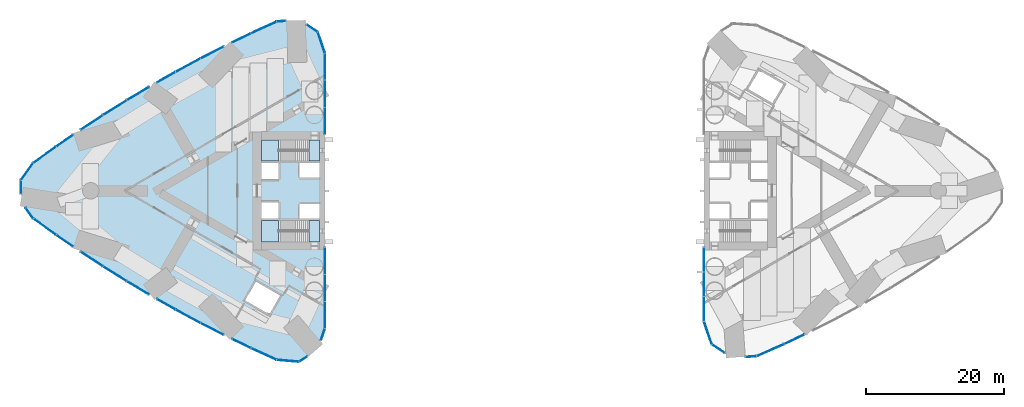
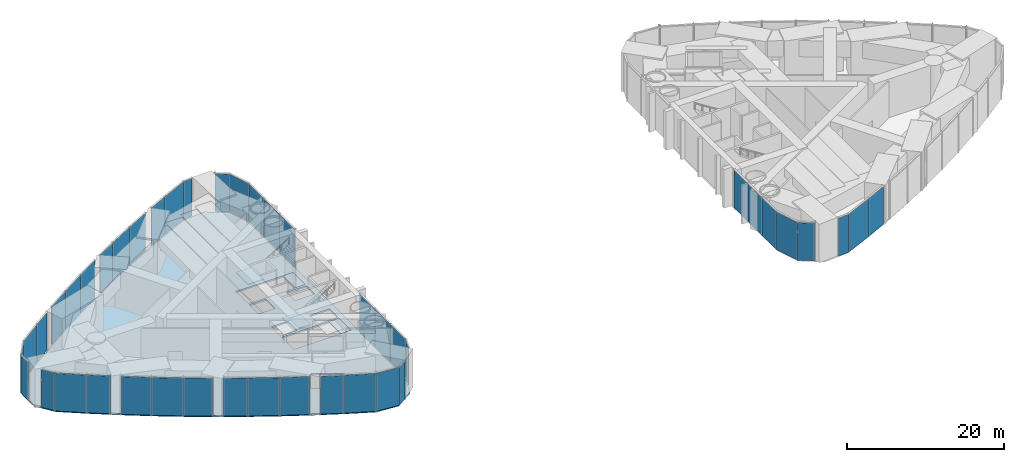
# One storey, part 9 of 16: 43 plates, 5 slabs, 14 elements without a shape of their own.
"""IFC4 building model written with IfcOpenShell, lengths in metres."""

from ifc_helpers import new_model, si_unit, direction, frame, origin, origin_2d, place, context, subcontext, project, spatial, polyline, rectangle, outline, extrude, material, layer, layer_set, type_object, element, aggregate, save


model = new_model("IFC4")

# Units and contexts
model_context = context("Model", 3, precision=1e-05, world=origin(), true_north=direction((0.0, 1.0)))
body_context = subcontext(model_context, "Body", "Model", "MODEL_VIEW")
ifc_project = project(units=[si_unit("LENGTHUNIT", "METRE"), si_unit("AREAUNIT", "SQUARE_METRE"), si_unit("VOLUMEUNIT", "CUBIC_METRE"), si_unit("PLANEANGLEUNIT", "RADIAN"), si_unit("MASSUNIT", "GRAM", prefix="KILO")], contexts=[model_context])

# Site, building, storey
site_placement = place(None, origin())
site = spatial("IfcSite", under=ifc_project, at=site_placement, CompositionType="ELEMENT")
building_placement = place(site_placement, origin())
building = spatial("IfcBuilding", under=site, at=building_placement, Name="Lancet Gate Hotel", CompositionType="ELEMENT")
storey_placement = place(building_placement, frame((0.0, 0.0, 146.699951171875)))
storey = spatial("IfcBuildingStorey", under=building, at=storey_placement, Name="L39", CompositionType="ELEMENT", Elevation=146.699951171875)

# Slab
ifc_material_1 = material(Name="Concrete C50/60", Category="concrete")
ifc_layer_1 = layer(ifc_material_1, 0.25)
ifc_layer_set_1 = layer_set([ifc_layer_1], Name="Floor slab 250")
slab_type_1 = type_object("IfcSlabType", Name="Floor slab 250", PredefinedType="FLOOR", material=ifc_layer_set_1)
slab_1_placement = place(storey_placement, frame((0.0, 0.0, -0.25)))
element("IfcSlab", 1, at=slab_1_placement, inside=storey, type_object=slab_type_1, Name="T1 L39 floor slab", PredefinedType="FLOOR", context=body_context, shape_type="SweptSolid", body=[
    extrude(outline(polyline([(-27.5, 8.60009765625), (-27.6201171875, 8.60009765625), (-27.6201171875, 19.950927734375), (-28.65966796875, 22.970947265625), (-31.320068359375, 24.69921875), (-34.5009765625, 24.421630859375), (-38.201416015625, 22.727783203125), (-41.8818359375, 20.946044921875), (-45.523193359375, 19.085693359375), (-49.12353515625, 17.147216796875), (-52.681396484375, 15.131591796875), (-56.195068359375, 13.0400390625), (-59.662841796875, 10.873291015625), (-63.0830078125, 8.63232421875), (-66.454345703125, 6.318115234375), (-69.76025390625, 3.94287109375), (-71.523193359375, 1.49755859375), (-71.523193359375, -1.49755859375), (-69.76025390625, -3.94287109375), (-66.454345703125, -6.318115234375), (-63.0830078125, -8.63232421875), (-59.662841796875, -10.873291015625), (-56.195068359375, -13.0400390625), (-52.681396484375, -15.131591796875), (-49.12353515625, -17.147216796875), (-45.523193359375, -19.085693359375), (-41.8818359375, -20.946044921875), (-38.201416015625, -22.727783203125), (-34.5009765625, -24.421630859375), (-31.320068359375, -24.69921875), (-28.65966796875, -22.970947265625), (-27.6201171875, -19.950927734375), (-27.6201171875, -8.60009765625), (-27.5, -8.60009765625), (-27.5, -8.199951171875), (-27.5, 8.199951171875), (-27.5, 8.60009765625)]), holes=[polyline([(-36.699951171875, 7.39990234375), (-36.699951171875, 4.300048828125), (-28.300048828125, 4.300048828125), (-28.300048828125, 7.39990234375), (-36.699951171875, 7.39990234375)]), polyline([(-28.300048828125, 4.0), (-31.199951171875, 4.0), (-31.199951171875, 1.89990234375), (-28.300048828125, 1.89990234375), (-28.300048828125, 4.0)]), polyline([(-34.25, 4.0), (-36.699951171875, 4.0), (-36.699951171875, 1.64990234375), (-34.25, 1.64990234375), (-34.25, 4.0)]), polyline([(-36.699951171875, -1.64990234375), (-36.699951171875, -4.0), (-34.25, -4.0), (-34.25, -1.64990234375), (-36.699951171875, -1.64990234375)]), polyline([(-28.300048828125, -1.89990234375), (-31.199951171875, -1.89990234375), (-31.199951171875, -4.0), (-28.300048828125, -4.0), (-28.300048828125, -1.89990234375)]), polyline([(-28.300048828125, -4.300048828125), (-36.699951171875, -4.300048828125), (-36.699951171875, -7.39990234375), (-28.300048828125, -7.39990234375), (-28.300048828125, -4.300048828125)]), polyline([(-37.52490234375, -13.131103515625), (-39.125, -15.902099609375), (-35.573974609375, -17.951904296875), (-33.97412109375, -15.180908203125), (-37.52490234375, -13.131103515625)])]), origin(), (0.0, 0.0, 1.0), 0.25),
])

# Curtain wall, plates
ifc_material_2 = material(Name="Aluminium curtain wall", Category="aluminium")
curtain_wall_type = type_object("IfcCurtainWallType", Name="Refuge storey louvred curtain wall", PredefinedType="USERDEFINED", material=ifc_material_2)
curtain_wall_1_placement = place(storey_placement, origin())
curtain_wall_1 = element("IfcCurtainWall", 2, at=curtain_wall_1_placement, inside=storey, type_object=curtain_wall_type, Name="T1 L39 curtain wall 1", ObjectType="LANTERN GLAZING", PredefinedType="USERDEFINED")
ifc_material_3 = material(Name="Aluminium weather louvre 100 deep", Category="aluminium")
ifc_layer_2 = layer(ifc_material_3, 0.10009765625)
ifc_layer_set_2 = layer_set([ifc_layer_2], Name="Louvre panel")
plate_type = type_object("IfcPlateType", Name="Louvre panel", PredefinedType="CURTAIN_PANEL", material=ifc_layer_set_2)
plate_1_placement = place(storey_placement, frame((-27.5, 10.161865234375, 0.0), z_axis=(0.0, 0.0, 1.0), x_axis=(0.0, 1.0, 0.0)))
plate_1 = element("IfcPlate", 3, at=plate_1_placement, type_object=plate_type, Name="T1 L39 curtain wall 1 panel 1", PredefinedType="CURTAIN_PANEL", context=body_context, shape_type="SweptSolid", body=[
    extrude(rectangle(XDim=3.858642578125, YDim=0.10009765625, at=origin_2d()), origin(), (0.0, 0.0, 1.0), 5.85009765625),
])
plate_2_placement = place(storey_placement, frame((-27.5, 14.08544921875, 0.0), z_axis=(0.0, 0.0, 1.0), x_axis=(0.0, 1.0, 0.0)))
plate_2 = element("IfcPlate", 4, at=plate_2_placement, type_object=plate_type, Name="T1 L39 curtain wall 1 panel 2", PredefinedType="CURTAIN_PANEL", context=body_context, shape_type="SweptSolid", body=[
    extrude(rectangle(XDim=3.858642578125, YDim=0.10009765625, at=origin_2d()), origin(), (0.0, 0.0, 1.0), 5.85009765625),
])
plate_3_placement = place(storey_placement, frame((-27.5, 18.00927734375, 0.0), z_axis=(0.0, 0.0, 1.0), x_axis=(0.0, 1.0, 0.0)))
plate_3 = element("IfcPlate", 5, at=plate_3_placement, type_object=plate_type, Name="T1 L39 curtain wall 1 panel 3", PredefinedType="CURTAIN_PANEL", context=body_context, shape_type="SweptSolid", body=[
    extrude(rectangle(XDim=3.858642578125, YDim=0.10009765625, at=origin_2d()), origin(), (0.0, 0.0, 1.0), 5.85009765625),
])
plate_4_placement = place(storey_placement, frame((-28.02978515625, 21.510009765625, 0.0), z_axis=(0.0, 0.0, 1.0), x_axis=(-0.325515820766, 0.945536593914, 0.0)))
plate_4 = element("IfcPlate", 6, at=plate_4_placement, type_object=plate_type, Name="T1 L39 curtain wall 1 panel 4", PredefinedType="CURTAIN_PANEL", context=body_context, shape_type="SweptSolid", body=[
    extrude(rectangle(XDim=3.190185546875, YDim=0.10009765625, at=origin_2d()), origin(), (0.0, 0.0, 1.0), 5.85009765625),
])
plate_5_placement = place(storey_placement, frame((-29.364501953125, 23.57177734375, 0.0), z_axis=(0.0, 0.0, 1.0), x_axis=(-0.838580121261, 0.544778285385, 0.0)))
plate_5 = element("IfcPlate", 7, at=plate_5_placement, type_object=plate_type, Name="T1 L39 curtain wall 1 panel 5", PredefinedType="CURTAIN_PANEL", context=body_context, shape_type="SweptSolid", body=[
    extrude(rectangle(XDim=1.8544921875, YDim=0.10009765625, at=origin_2d()), origin(), (0.0, 0.0, 1.0), 5.85009765625),
])
aggregate(curtain_wall_1, [plate_1, plate_2, plate_3, plate_4, plate_5])

curtain_wall_2_placement = place(storey_placement, origin())
curtain_wall_2 = element("IfcCurtainWall", 8, at=curtain_wall_2_placement, inside=storey, type_object=curtain_wall_type, Name="T1 L39 curtain wall 2", ObjectType="LANTERN GLAZING", PredefinedType="USERDEFINED")
plate_6_placement = place(storey_placement, frame((-33.8486328125, 24.59912109375, 0.0), z_axis=(0.0, 0.0, 1.0), x_axis=(-0.996218779711, -0.086880049207, 0.0)))
plate_6 = element("IfcPlate", 9, at=plate_6_placement, type_object=plate_type, Name="T1 L39 curtain wall 2 panel 1", PredefinedType="CURTAIN_PANEL", context=body_context, shape_type="SweptSolid", body=[
    extrude(rectangle(XDim=1.307373046875, YDim=0.10009765625, at=origin_2d()), origin(), (0.0, 0.0, 1.0), 5.85009765625),
])
plate_7_placement = place(storey_placement, frame((-36.392333984375, 23.68798828125, 0.0), z_axis=(0.0, 0.0, 1.0), x_axis=(-0.909252721243, -0.416244506166, 0.0)))
plate_7 = element("IfcPlate", 10, at=plate_7_placement, type_object=plate_type, Name="T1 L39 curtain wall 2 panel 2", PredefinedType="CURTAIN_PANEL", context=body_context, shape_type="SweptSolid", body=[
    extrude(rectangle(XDim=4.026611328125, YDim=0.10009765625, at=origin_2d()), origin(), (0.0, 0.0, 1.0), 5.85009765625),
])
plate_8_placement = place(storey_placement, frame((-39.63037109375, 22.16943359375, 0.0), z_axis=(0.0, 0.0, 1.0), x_axis=(-0.900081672047, -0.435721222395, 0.0)))
plate_8 = element("IfcPlate", 11, at=plate_8_placement, type_object=plate_type, Name="T1 L39 curtain wall 2 panel 3", PredefinedType="CURTAIN_PANEL", context=body_context, shape_type="SweptSolid", body=[
    extrude(rectangle(XDim=2.99658203125, YDim=0.10009765625, at=origin_2d()), origin(), (0.0, 0.0, 1.0), 5.85009765625),
])
aggregate(curtain_wall_2, [plate_6, plate_7, plate_8])

curtain_wall_3_placement = place(storey_placement, origin())
curtain_wall_3 = element("IfcCurtainWall", 12, at=curtain_wall_3_placement, inside=storey, type_object=curtain_wall_type, Name="T1 L39 curtain wall 3", ObjectType="LANTERN GLAZING", PredefinedType="USERDEFINED")
plate_9_placement = place(storey_placement, frame((-43.880859375, 20.0595703125, 0.0), z_axis=(0.0, 0.0, 1.0), x_axis=(-0.890493479451, -0.45499600334, 0.0)))
plate_9 = element("IfcPlate", 13, at=plate_9_placement, type_object=plate_type, Name="T1 L39 curtain wall 3 panel 1", PredefinedType="CURTAIN_PANEL", context=body_context, shape_type="SweptSolid", body=[
    extrude(rectangle(XDim=3.748779296875, YDim=0.10009765625, at=origin_2d()), origin(), (0.0, 0.0, 1.0), 5.85009765625),
])
plate_10_placement = place(storey_placement, frame((-47.380126953125, 18.221923828125, 0.0), z_axis=(0.0, 0.0, 1.0), x_axis=(-0.880492587094, -0.474059916121, 0.0)))
plate_10 = element("IfcPlate", 14, at=plate_10_placement, type_object=plate_type, Name="T1 L39 curtain wall 3 panel 2", PredefinedType="CURTAIN_PANEL", context=body_context, shape_type="SweptSolid", body=[
    extrude(rectangle(XDim=4.026611328125, YDim=0.10009765625, at=origin_2d()), origin(), (0.0, 0.0, 1.0), 5.85009765625),
])
plate_11_placement = place(storey_placement, frame((-50.53466796875, 16.485595703125, 0.0), z_axis=(0.0, 0.0, 1.0), x_axis=(-0.870083629903, -0.49290412554, 0.0)))
plate_11 = element("IfcPlate", 15, at=plate_11_placement, type_object=plate_type, Name="T1 L39 curtain wall 3 panel 3", PredefinedType="CURTAIN_PANEL", context=body_context, shape_type="SweptSolid", body=[
    extrude(rectangle(XDim=3.04541015625, YDim=0.10009765625, at=origin_2d()), origin(), (0.0, 0.0, 1.0), 5.85009765625),
])
aggregate(curtain_wall_3, [plate_9, plate_10, plate_11])

curtain_wall_4_placement = place(storey_placement, origin())
curtain_wall_4 = element("IfcCurtainWall", 16, at=curtain_wall_4_placement, inside=storey, type_object=curtain_wall_type, Name="T1 L39 curtain wall 4", ObjectType="LANTERN GLAZING", PredefinedType="USERDEFINED")
plate_12_placement = place(storey_placement, frame((-54.634521484375, 14.108642578125, 0.0), z_axis=(0.0, 0.0, 1.0), x_axis=(-0.859271431916, -0.511519898238, 0.0)))
plate_12 = element("IfcPlate", 17, at=plate_12_placement, type_object=plate_type, Name="T1 L39 curtain wall 4 panel 1", PredefinedType="CURTAIN_PANEL", context=body_context, shape_type="SweptSolid", body=[
    extrude(rectangle(XDim=3.71240234375, YDim=0.10009765625, at=origin_2d()), origin(), (0.0, 0.0, 1.0), 5.85009765625),
])
plate_13_placement = place(storey_placement, frame((-57.992431640625, 12.058349609375, 0.0), z_axis=(0.0, 0.0, 1.0), x_axis=(-0.848061004052, -0.529898606722, 0.0)))
plate_13 = element("IfcPlate", 18, at=plate_13_placement, type_object=plate_type, Name="T1 L39 curtain wall 4 panel 2", PredefinedType="CURTAIN_PANEL", context=body_context, shape_type="SweptSolid", body=[
    extrude(rectangle(XDim=4.026611328125, YDim=0.10009765625, at=origin_2d()), origin(), (0.0, 0.0, 1.0), 5.85009765625),
])
plate_14_placement = place(storey_placement, frame((-61.34130859375, 9.9169921875, 0.0), z_axis=(0.0, 0.0, 1.0), x_axis=(-0.836457541791, -0.54803173337, 0.0)))
plate_14 = element("IfcPlate", 19, at=plate_14_placement, type_object=plate_type, Name="T1 L39 curtain wall 4 panel 3", PredefinedType="CURTAIN_PANEL", context=body_context, shape_type="SweptSolid", body=[
    extrude(rectangle(XDim=3.793701171875, YDim=0.10009765625, at=origin_2d()), origin(), (0.0, 0.0, 1.0), 5.85009765625),
])
aggregate(curtain_wall_4, [plate_12, plate_13, plate_14])

curtain_wall_5_placement = place(storey_placement, origin())
curtain_wall_5 = element("IfcCurtainWall", 20, at=curtain_wall_5_placement, inside=storey, type_object=curtain_wall_type, Name="T1 L39 curtain wall 5", ObjectType="LANTERN GLAZING", PredefinedType="USERDEFINED")
plate_15_placement = place(storey_placement, frame((-65.286865234375, 7.26513671875, 0.0), z_axis=(0.0, 0.0, 1.0), x_axis=(-0.824466422775, -0.565910874357, 0.0)))
plate_15 = element("IfcPlate", 21, at=plate_15_placement, type_object=plate_type, Name="T1 L39 curtain wall 5 panel 1", PredefinedType="CURTAIN_PANEL", context=body_context, shape_type="SweptSolid", body=[
    extrude(rectangle(XDim=2.9345703125, YDim=0.10009765625, at=origin_2d()), origin(), (0.0, 0.0, 1.0), 5.85009765625),
])
plate_16_placement = place(storey_placement, frame((-68.184814453125, 5.22265625, 0.0), z_axis=(0.0, 0.0, 1.0), x_axis=(-0.812093204276, -0.583527743615, 0.0)))
plate_16 = element("IfcPlate", 22, at=plate_16_placement, type_object=plate_type, Name="T1 L39 curtain wall 5 panel 2", PredefinedType="CURTAIN_PANEL", context=body_context, shape_type="SweptSolid", body=[
    extrude(rectangle(XDim=4.026611328125, YDim=0.10009765625, at=origin_2d()), origin(), (0.0, 0.0, 1.0), 5.85009765625),
])
plate_17_placement = place(storey_placement, frame((-70.74462890625, 2.782470703125, 0.0), z_axis=(0.0, 0.0, 1.0), x_axis=(-0.584808645706, -0.811171281486, 0.0)))
plate_17 = element("IfcPlate", 23, at=plate_17_placement, type_object=plate_type, Name="T1 L39 curtain wall 5 panel 3", PredefinedType="CURTAIN_PANEL", context=body_context, shape_type="SweptSolid", body=[
    extrude(rectangle(XDim=3.0078125, YDim=0.10009765625, at=origin_2d()), origin(), (0.0, 0.0, 1.0), 5.85009765625),
])
plate_18_placement = place(storey_placement, frame((-71.64306640625, 0.53173828125, 0.0), z_axis=(0.0, 0.0, 1.0), x_axis=(0.0, -1.0, 0.0)))
plate_18 = element("IfcPlate", 24, at=plate_18_placement, type_object=plate_type, Name="T1 L39 curtain wall 5 panel 4", PredefinedType="CURTAIN_PANEL", context=body_context, shape_type="SweptSolid", body=[
    extrude(rectangle(XDim=1.944091796875, YDim=0.10009765625, at=origin_2d()), origin(), (0.0, 0.0, 1.0), 5.85009765625),
])
aggregate(curtain_wall_5, [plate_15, plate_16, plate_17, plate_18])

curtain_wall_6_placement = place(storey_placement, origin())
curtain_wall_6 = element("IfcCurtainWall", 25, at=curtain_wall_6_placement, inside=storey, type_object=curtain_wall_type, Name="T1 L39 curtain wall 6", ObjectType="LANTERN GLAZING", PredefinedType="USERDEFINED")
plate_19_placement = place(storey_placement, frame((-70.402587890625, -3.257080078125, 0.0), z_axis=(0.0, 0.0, 1.0), x_axis=(0.584808645706, -0.811171281486, 0.0)))
plate_19 = element("IfcPlate", 26, at=plate_19_placement, type_object=plate_type, Name="T1 L39 curtain wall 6 panel 1", PredefinedType="CURTAIN_PANEL", context=body_context, shape_type="SweptSolid", body=[
    extrude(rectangle(XDim=1.837890625, YDim=0.10009765625, at=origin_2d()), origin(), (0.0, 0.0, 1.0), 5.85009765625),
])
plate_20_placement = place(storey_placement, frame((-68.184814453125, -5.22265625, 0.0), z_axis=(0.0, 0.0, 1.0), x_axis=(0.812093204276, -0.583527743615, 0.0)))
plate_20 = element("IfcPlate", 27, at=plate_20_placement, type_object=plate_type, Name="T1 L39 curtain wall 6 panel 2", PredefinedType="CURTAIN_PANEL", context=body_context, shape_type="SweptSolid", body=[
    extrude(rectangle(XDim=4.026611328125, YDim=0.10009765625, at=origin_2d()), origin(), (0.0, 0.0, 1.0), 5.85009765625),
])
plate_21_placement = place(storey_placement, frame((-65.286865234375, -7.26513671875, 0.0), z_axis=(0.0, 0.0, 1.0), x_axis=(0.824466422775, -0.565910874357, 0.0)))
plate_21 = element("IfcPlate", 28, at=plate_21_placement, type_object=plate_type, Name="T1 L39 curtain wall 6 panel 3", PredefinedType="CURTAIN_PANEL", context=body_context, shape_type="SweptSolid", body=[
    extrude(rectangle(XDim=2.9345703125, YDim=0.10009765625, at=origin_2d()), origin(), (0.0, 0.0, 1.0), 5.85009765625),
])
aggregate(curtain_wall_6, [plate_19, plate_20, plate_21])

curtain_wall_7_placement = place(storey_placement, origin())
curtain_wall_7 = element("IfcCurtainWall", 29, at=curtain_wall_7_placement, inside=storey, type_object=curtain_wall_type, Name="T1 L39 curtain wall 7", ObjectType="LANTERN GLAZING", PredefinedType="USERDEFINED")
plate_22_placement = place(storey_placement, frame((-61.34130859375, -9.9169921875, 0.0), z_axis=(0.0, 0.0, 1.0), x_axis=(0.836457541791, -0.54803173337, 0.0)))
plate_22 = element("IfcPlate", 30, at=plate_22_placement, type_object=plate_type, Name="T1 L39 curtain wall 7 panel 1", PredefinedType="CURTAIN_PANEL", context=body_context, shape_type="SweptSolid", body=[
    extrude(rectangle(XDim=3.793701171875, YDim=0.10009765625, at=origin_2d()), origin(), (0.0, 0.0, 1.0), 5.85009765625),
])
plate_23_placement = place(storey_placement, frame((-57.992431640625, -12.058349609375, 0.0), z_axis=(0.0, 0.0, 1.0), x_axis=(0.848061004052, -0.529898606722, 0.0)))
plate_23 = element("IfcPlate", 31, at=plate_23_placement, type_object=plate_type, Name="T1 L39 curtain wall 7 panel 2", PredefinedType="CURTAIN_PANEL", context=body_context, shape_type="SweptSolid", body=[
    extrude(rectangle(XDim=4.026611328125, YDim=0.10009765625, at=origin_2d()), origin(), (0.0, 0.0, 1.0), 5.85009765625),
])
plate_24_placement = place(storey_placement, frame((-54.634521484375, -14.108642578125, 0.0), z_axis=(0.0, 0.0, 1.0), x_axis=(0.859271431916, -0.511519898238, 0.0)))
plate_24 = element("IfcPlate", 32, at=plate_24_placement, type_object=plate_type, Name="T1 L39 curtain wall 7 panel 3", PredefinedType="CURTAIN_PANEL", context=body_context, shape_type="SweptSolid", body=[
    extrude(rectangle(XDim=3.71240234375, YDim=0.10009765625, at=origin_2d()), origin(), (0.0, 0.0, 1.0), 5.85009765625),
])
aggregate(curtain_wall_7, [plate_22, plate_23, plate_24])

curtain_wall_8_placement = place(storey_placement, origin())
curtain_wall_8 = element("IfcCurtainWall", 33, at=curtain_wall_8_placement, inside=storey, type_object=curtain_wall_type, Name="T1 L39 curtain wall 8", ObjectType="LANTERN GLAZING", PredefinedType="USERDEFINED")
plate_25_placement = place(storey_placement, frame((-50.53466796875, -16.485595703125, 0.0), z_axis=(0.0, 0.0, 1.0), x_axis=(0.870083629903, -0.49290412554, 0.0)))
plate_25 = element("IfcPlate", 34, at=plate_25_placement, type_object=plate_type, Name="T1 L39 curtain wall 8 panel 1", PredefinedType="CURTAIN_PANEL", context=body_context, shape_type="SweptSolid", body=[
    extrude(rectangle(XDim=3.04541015625, YDim=0.10009765625, at=origin_2d()), origin(), (0.0, 0.0, 1.0), 5.85009765625),
])
plate_26_placement = place(storey_placement, frame((-47.380126953125, -18.221923828125, 0.0), z_axis=(0.0, 0.0, 1.0), x_axis=(0.880492587094, -0.474059916121, 0.0)))
plate_26 = element("IfcPlate", 35, at=plate_26_placement, type_object=plate_type, Name="T1 L39 curtain wall 8 panel 2", PredefinedType="CURTAIN_PANEL", context=body_context, shape_type="SweptSolid", body=[
    extrude(rectangle(XDim=4.026611328125, YDim=0.10009765625, at=origin_2d()), origin(), (0.0, 0.0, 1.0), 5.85009765625),
])
plate_27_placement = place(storey_placement, frame((-43.880859375, -20.0595703125, 0.0), z_axis=(0.0, 0.0, 1.0), x_axis=(0.890493479451, -0.45499600334, 0.0)))
plate_27 = element("IfcPlate", 36, at=plate_27_placement, type_object=plate_type, Name="T1 L39 curtain wall 8 panel 3", PredefinedType="CURTAIN_PANEL", context=body_context, shape_type="SweptSolid", body=[
    extrude(rectangle(XDim=3.748779296875, YDim=0.10009765625, at=origin_2d()), origin(), (0.0, 0.0, 1.0), 5.85009765625),
])
aggregate(curtain_wall_8, [plate_25, plate_26, plate_27])

curtain_wall_9_placement = place(storey_placement, origin())
curtain_wall_9 = element("IfcCurtainWall", 37, at=curtain_wall_9_placement, inside=storey, type_object=curtain_wall_type, Name="T1 L39 curtain wall 9", ObjectType="LANTERN GLAZING", PredefinedType="USERDEFINED")
plate_28_placement = place(storey_placement, frame((-39.63037109375, -22.16943359375, 0.0), z_axis=(0.0, 0.0, 1.0), x_axis=(0.900081672047, -0.435721222395, 0.0)))
plate_28 = element("IfcPlate", 38, at=plate_28_placement, type_object=plate_type, Name="T1 L39 curtain wall 9 panel 1", PredefinedType="CURTAIN_PANEL", context=body_context, shape_type="SweptSolid", body=[
    extrude(rectangle(XDim=2.99658203125, YDim=0.10009765625, at=origin_2d()), origin(), (0.0, 0.0, 1.0), 5.85009765625),
])
plate_29_placement = place(storey_placement, frame((-36.392333984375, -23.68798828125, 0.0), z_axis=(0.0, 0.0, 1.0), x_axis=(0.909252721243, -0.416244506166, 0.0)))
plate_29 = element("IfcPlate", 39, at=plate_29_placement, type_object=plate_type, Name="T1 L39 curtain wall 9 panel 2", PredefinedType="CURTAIN_PANEL", context=body_context, shape_type="SweptSolid", body=[
    extrude(rectangle(XDim=4.026611328125, YDim=0.10009765625, at=origin_2d()), origin(), (0.0, 0.0, 1.0), 5.85009765625),
])
plate_30_placement = place(storey_placement, frame((-32.91064453125, -24.680908203125, 0.0), z_axis=(0.0, 0.0, 1.0), x_axis=(0.996218779711, -0.086880049207, 0.0)))
plate_30 = element("IfcPlate", 40, at=plate_30_placement, type_object=plate_type, Name="T1 L39 curtain wall 9 panel 3", PredefinedType="CURTAIN_PANEL", context=body_context, shape_type="SweptSolid", body=[
    extrude(rectangle(XDim=3.190185546875, YDim=0.10009765625, at=origin_2d()), origin(), (0.0, 0.0, 1.0), 5.85009765625),
])
plate_31_placement = place(storey_placement, frame((-30.675048828125, -24.42333984375, 0.0), z_axis=(0.0, 0.0, 1.0), x_axis=(0.838580121261, 0.544778285385, 0.0)))
plate_31 = element("IfcPlate", 41, at=plate_31_placement, type_object=plate_type, Name="T1 L39 curtain wall 9 panel 4", PredefinedType="CURTAIN_PANEL", context=body_context, shape_type="SweptSolid", body=[
    extrude(rectangle(XDim=1.39990234375, YDim=0.10009765625, at=origin_2d()), origin(), (0.0, 0.0, 1.0), 5.85009765625),
])
aggregate(curtain_wall_9, [plate_28, plate_29, plate_30, plate_31])

curtain_wall_10_placement = place(storey_placement, origin())
curtain_wall_10 = element("IfcCurtainWall", 42, at=curtain_wall_10_placement, inside=storey, type_object=curtain_wall_type, Name="T1 L39 curtain wall 10", ObjectType="LANTERN GLAZING", PredefinedType="USERDEFINED")
plate_32_placement = place(storey_placement, frame((-27.80224609375, -20.849365234375, 0.0), z_axis=(0.0, 0.0, 1.0), x_axis=(0.325515820766, 0.945536593914, 0.0)))
plate_32 = element("IfcPlate", 43, at=plate_32_placement, type_object=plate_type, Name="T1 L39 curtain wall 10 panel 1", PredefinedType="CURTAIN_PANEL", context=body_context, shape_type="SweptSolid", body=[
    extrude(rectangle(XDim=1.792724609375, YDim=0.10009765625, at=origin_2d()), origin(), (0.0, 0.0, 1.0), 5.85009765625),
])
plate_33_placement = place(storey_placement, frame((-27.5, -18.00927734375, 0.0), z_axis=(0.0, 0.0, 1.0), x_axis=(0.0, 1.0, 0.0)))
plate_33 = element("IfcPlate", 44, at=plate_33_placement, type_object=plate_type, Name="T1 L39 curtain wall 10 panel 2", PredefinedType="CURTAIN_PANEL", context=body_context, shape_type="SweptSolid", body=[
    extrude(rectangle(XDim=3.858642578125, YDim=0.10009765625, at=origin_2d()), origin(), (0.0, 0.0, 1.0), 5.85009765625),
])
plate_34_placement = place(storey_placement, frame((-27.5, -14.08544921875, 0.0), z_axis=(0.0, 0.0, 1.0), x_axis=(0.0, 1.0, 0.0)))
plate_34 = element("IfcPlate", 45, at=plate_34_placement, type_object=plate_type, Name="T1 L39 curtain wall 10 panel 3", PredefinedType="CURTAIN_PANEL", context=body_context, shape_type="SweptSolid", body=[
    extrude(rectangle(XDim=3.858642578125, YDim=0.10009765625, at=origin_2d()), origin(), (0.0, 0.0, 1.0), 5.85009765625),
])
plate_35_placement = place(storey_placement, frame((-27.5, -10.161865234375, 0.0), z_axis=(0.0, 0.0, 1.0), x_axis=(0.0, 1.0, 0.0)))
plate_35 = element("IfcPlate", 46, at=plate_35_placement, type_object=plate_type, Name="T1 L39 curtain wall 10 panel 4", PredefinedType="CURTAIN_PANEL", context=body_context, shape_type="SweptSolid", body=[
    extrude(rectangle(XDim=3.858642578125, YDim=0.10009765625, at=origin_2d()), origin(), (0.0, 0.0, 1.0), 5.85009765625),
])
aggregate(curtain_wall_10, [plate_32, plate_33, plate_34, plate_35])

curtain_wall_11_placement = place(storey_placement, origin())
curtain_wall_11 = element("IfcCurtainWall", 47, at=curtain_wall_11_placement, inside=storey, type_object=curtain_wall_type, Name="T2 L39 curtain wall 1", ObjectType="LANTERN GLAZING", PredefinedType="USERDEFINED")
plate_36_placement = place(storey_placement, frame((27.5, -9.990478515625, 0.0), z_axis=(0.0, 0.0, 1.0), x_axis=(0.0, -1.0, 0.0)))
plate_36 = element("IfcPlate", 48, at=plate_36_placement, type_object=plate_type, Name="T2 L39 curtain wall 1 panel 1", PredefinedType="CURTAIN_PANEL", context=body_context, shape_type="SweptSolid", body=[
    extrude(rectangle(XDim=3.515869140625, YDim=0.10009765625, at=origin_2d()), origin(), (0.0, 0.0, 1.0), 5.85009765625),
])
plate_37_placement = place(storey_placement, frame((27.5, -13.571533203125, 0.0), z_axis=(0.0, 0.0, 1.0), x_axis=(0.0, -1.0, 0.0)))
plate_37 = element("IfcPlate", 49, at=plate_37_placement, type_object=plate_type, Name="T2 L39 curtain wall 1 panel 2", PredefinedType="CURTAIN_PANEL", context=body_context, shape_type="SweptSolid", body=[
    extrude(rectangle(XDim=3.515869140625, YDim=0.10009765625, at=origin_2d()), origin(), (0.0, 0.0, 1.0), 5.85009765625),
])
plate_38_placement = place(storey_placement, frame((27.5, -17.15234375, 0.0), z_axis=(0.0, 0.0, 1.0), x_axis=(0.0, -1.0, 0.0)))
plate_38 = element("IfcPlate", 50, at=plate_38_placement, type_object=plate_type, Name="T2 L39 curtain wall 1 panel 3", PredefinedType="CURTAIN_PANEL", context=body_context, shape_type="SweptSolid", body=[
    extrude(rectangle(XDim=3.515869140625, YDim=0.10009765625, at=origin_2d()), origin(), (0.0, 0.0, 1.0), 5.85009765625),
])
plate_39_placement = place(storey_placement, frame((28.072265625, -20.622314453125, 0.0), z_axis=(0.0, 0.0, 1.0), x_axis=(0.32257568891, -0.946543673015, 0.0)))
plate_39 = element("IfcPlate", 51, at=plate_39_placement, type_object=plate_type, Name="T2 L39 curtain wall 1 panel 4", PredefinedType="CURTAIN_PANEL", context=body_context, shape_type="SweptSolid", body=[
    extrude(rectangle(XDim=3.4833984375, YDim=0.10009765625, at=origin_2d()), origin(), (0.0, 0.0, 1.0), 5.85009765625),
])
plate_40_placement = place(storey_placement, frame((29.58544921875, -22.92529296875, 0.0), z_axis=(0.0, 0.0, 1.0), x_axis=(0.833464516611, -0.552572981198, 0.0)))
plate_40 = element("IfcPlate", 52, at=plate_40_placement, type_object=plate_type, Name="T2 L39 curtain wall 1 panel 5", PredefinedType="CURTAIN_PANEL", context=body_context, shape_type="SweptSolid", body=[
    extrude(rectangle(XDim=2.192626953125, YDim=0.10009765625, at=origin_2d()), origin(), (0.0, 0.0, 1.0), 5.85009765625),
])
aggregate(curtain_wall_11, [plate_36, plate_37, plate_38, plate_39, plate_40])

curtain_wall_12_placement = place(storey_placement, origin())
curtain_wall_12 = element("IfcCurtainWall", 53, at=curtain_wall_12_placement, inside=storey, type_object=curtain_wall_type, Name="T2 L39 curtain wall 2", ObjectType="LANTERN GLAZING", PredefinedType="USERDEFINED")
plate_41_placement = place(storey_placement, frame((34.34521484375, -24.06591796875, 0.0), z_axis=(0.0, 0.0, 1.0), x_axis=(0.997448492935, 0.07138980278, 0.0)))
plate_41 = element("IfcPlate", 54, at=plate_41_placement, type_object=plate_type, Name="T2 L39 curtain wall 2 panel 1", PredefinedType="CURTAIN_PANEL", context=body_context, shape_type="SweptSolid", body=[
    extrude(rectangle(XDim=1.531005859375, YDim=0.10009765625, at=origin_2d()), origin(), (0.0, 0.0, 1.0), 5.85009765625),
])
plate_42_placement = place(storey_placement, frame((37.13134765625, -23.13427734375, 0.0), z_axis=(0.0, 0.0, 1.0), x_axis=(0.915478658759, 0.40236653111, 0.0)))
plate_42 = element("IfcPlate", 55, at=plate_42_placement, type_object=plate_type, Name="T2 L39 curtain wall 2 panel 2", PredefinedType="CURTAIN_PANEL", context=body_context, shape_type="SweptSolid", body=[
    extrude(rectangle(XDim=4.2822265625, YDim=0.10009765625, at=origin_2d()), origin(), (0.0, 0.0, 1.0), 5.85009765625),
])
plate_43_placement = place(storey_placement, frame((40.615478515625, -21.5517578125, 0.0), z_axis=(0.0, 0.0, 1.0), x_axis=(0.903683440096, 0.428201167789, 0.0)))
plate_43 = element("IfcPlate", 56, at=plate_43_placement, type_object=plate_type, Name="T2 L39 curtain wall 2 panel 3", PredefinedType="CURTAIN_PANEL", context=body_context, shape_type="SweptSolid", body=[
    extrude(rectangle(XDim=3.2421875, YDim=0.10009765625, at=origin_2d()), origin(), (0.0, 0.0, 1.0), 5.85009765625),
])
aggregate(curtain_wall_12, [plate_41, plate_42, plate_43])

# Stair, slabs
ifc_material_4 = material(Name="Exit stair 34 risers 1500")
stair_type = type_object("IfcStairType", Name="Exit stair 34 risers 1500", PredefinedType="HALF_TURN_STAIR", material=ifc_material_4)
stair_1_placement = place(storey_placement, origin())
stair_1 = element("IfcStair", 57, at=stair_1_placement, inside=storey, type_object=stair_type, Name="T1 stair 1 L39", PredefinedType="HALF_TURN_STAIR")
ifc_material_5 = material(Name="Concrete C40/50", Category="concrete")
ifc_layer_3 = layer(ifc_material_5, 0.199951171875)
ifc_layer_set_3 = layer_set([ifc_layer_3], Name="Stair landing 200")
slab_type_2 = type_object("IfcSlabType", Name="Stair landing 200", PredefinedType="LANDING", material=ifc_layer_set_3)
slab_2_placement = place(storey_placement, frame((0.0, 0.0, -0.199951171875)))
slab_2 = element("IfcSlab", 58, at=slab_2_placement, type_object=slab_type_2, Name="ST1 landing 1", PredefinedType="LANDING", context=body_context, shape_type="SweptSolid", body=[
    extrude(outline(polyline([(-28.300048828125, 7.39990234375), (-29.800048828125, 7.39990234375), (-29.800048828125, 4.300048828125), (-28.300048828125, 4.300048828125), (-28.300048828125, 7.39990234375)])), origin(), (0.0, 0.0, 1.0), 0.199951171875),
])
slab_3_placement = place(storey_placement, frame((0.0, 0.0, 2.800048828125)))
slab_3 = element("IfcSlab", 59, at=slab_3_placement, type_object=slab_type_2, Name="ST1 landing 2", PredefinedType="LANDING", context=body_context, shape_type="SweptSolid", body=[
    extrude(outline(polyline([(-34.280029296875, 7.39990234375), (-36.699951171875, 7.39990234375), (-36.699951171875, 4.300048828125), (-34.280029296875, 4.300048828125), (-34.280029296875, 7.39990234375)])), origin(), (0.0, 0.0, 1.0), 0.199951171875),
])
aggregate(stair_1, [slab_2, slab_3])

stair_2_placement = place(storey_placement, origin())
stair_2 = element("IfcStair", 60, at=stair_2_placement, inside=storey, type_object=stair_type, Name="T1 stair 2 L39", PredefinedType="HALF_TURN_STAIR")
slab_4_placement = place(storey_placement, frame((0.0, 0.0, -0.199951171875)))
slab_4 = element("IfcSlab", 61, at=slab_4_placement, type_object=slab_type_2, Name="ST2 landing 1", PredefinedType="LANDING", context=body_context, shape_type="SweptSolid", body=[
    extrude(outline(polyline([(-28.300048828125, -4.300048828125), (-29.800048828125, -4.300048828125), (-29.800048828125, -7.39990234375), (-28.300048828125, -7.39990234375), (-28.300048828125, -4.300048828125)])), origin(), (0.0, 0.0, 1.0), 0.199951171875),
])
slab_5_placement = place(storey_placement, frame((0.0, 0.0, 2.800048828125)))
slab_5 = element("IfcSlab", 62, at=slab_5_placement, type_object=slab_type_2, Name="ST2 landing 2", PredefinedType="LANDING", context=body_context, shape_type="SweptSolid", body=[
    extrude(outline(polyline([(-34.280029296875, -4.300048828125), (-36.699951171875, -4.300048828125), (-36.699951171875, -7.39990234375), (-34.280029296875, -7.39990234375), (-34.280029296875, -4.300048828125)])), origin(), (0.0, 0.0, 1.0), 0.199951171875),
])
aggregate(stair_2, [slab_4, slab_5])

save(model, "model.ifc")
